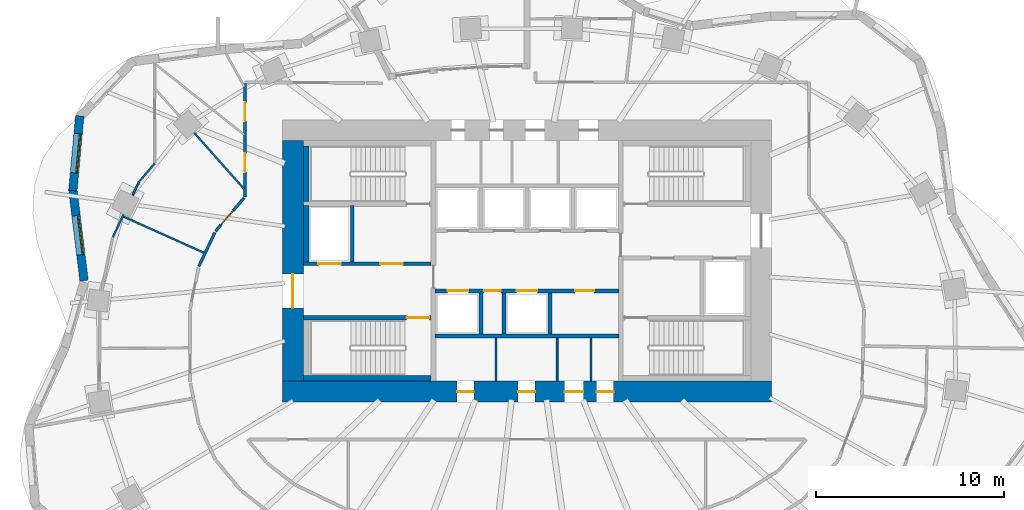
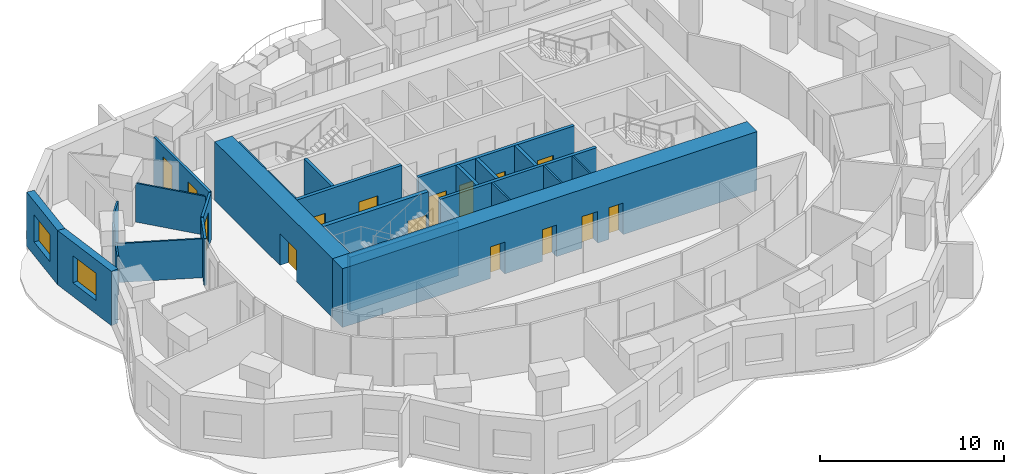
# One storey, part 6 of 11: 26 walls, 15 doors, 2 windows, 17 openings.
"""IFC4 building model written with IfcOpenShell, lengths in metres."""

from ifc_helpers import new_model, si_unit, direction, frame, frame_2d, origin, place, context, subcontext, project, spatial, rectangle, extrude, material, layer, layer_set, type_object, element, fill, save


model = new_model("IFC4")

# Units and contexts
model_context = context("Model", 3, precision=1e-05, world=origin(), true_north=direction((0.0, 1.0)))
body_context = subcontext(model_context, "Body", "Model", "MODEL_VIEW")
ifc_project = project(units=[si_unit("LENGTHUNIT", "METRE"), si_unit("AREAUNIT", "SQUARE_METRE"), si_unit("VOLUMEUNIT", "CUBIC_METRE"), si_unit("PLANEANGLEUNIT", "RADIAN"), si_unit("MASSUNIT", "GRAM", prefix="KILO")], contexts=[model_context])

# Site, building, storey
site_placement = place(None, origin())
site = spatial("IfcSite", under=ifc_project, at=site_placement, CompositionType="ELEMENT")
building_placement = place(site_placement, origin())
building = spatial("IfcBuilding", under=site, at=building_placement, Name="Rubra Terraces Tower", CompositionType="ELEMENT")
storey_placement = place(building_placement, frame((0.0, 0.0, 165.60009765625)))
storey = spatial("IfcBuildingStorey", under=building, at=storey_placement, Name="L40", CompositionType="ELEMENT", Elevation=165.60009765625)

# Wall, opening, window
ifc_material_1 = material(Name="Brick masonry red-brown", Category="masonry")
ifc_layer_1 = layer(ifc_material_1, 0.449951171875)
ifc_layer_set_1 = layer_set([ifc_layer_1], Name="Brick masonry red-brown")
wall_type_1 = type_object("IfcWallType", Name="Brick facade wall 450", PredefinedType="SOLIDWALL", material=ifc_layer_set_1)
wall_1_placement = place(storey_placement, frame((-23.787841796875, 12.21435546875, 0.0), z_axis=(0.0, 0.0, 1.0), x_axis=(-0.091885237351, -0.995769603451, 0.0)))
wall_1 = element("IfcWall", 1, at=wall_1_placement, inside=storey, type_object=wall_type_1, Name="Facade wall L40 bay 18", PredefinedType="SOLIDWALL", context=body_context, shape_type="SweptSolid", body=[
    extrude(rectangle(XDim=3.99609375, YDim=0.449951171875, at=frame_2d((1.998046875, 0.0))), origin(), (0.0, 0.0, 1.0), 3.599853515625),
])
opening_1_placement = place(wall_1_placement, frame((0.947998046875, 0.0, 0.89990234375)))
opening_1 = element("IfcOpeningElement", 2, at=opening_1_placement, cuts=wall_1, Name="Opening W1Z", PredefinedType="OPENING", context=body_context, shape_type="SweptSolid", body=[
    extrude(rectangle(XDim=2.10009765625, YDim=1.800048828125, at=frame_2d((1.050048828125, 0.89990234375))), frame((0.0, 0.23486328125, 0.0), z_axis=(0.0, -1.0, 0.0), x_axis=(1.0, 0.0, 0.0)), (0.0, 0.0, 1.0), 0.469970703125),
])
ifc_material_2 = material(Name="Clear glass in aluminium frame", Category="aluminium")
window_type = type_object("IfcWindowType", Name="Fixed deep-set window under transfer level 2100 x 1800", PartitioningType="SINGLE_PANEL", PredefinedType="WINDOW", material=ifc_material_2)
window_1_placement = place(opening_1_placement, origin())
window_1 = element("IfcWindow", 3, at=window_1_placement, inside=storey, type_object=window_type, Name="Window L40 bay 18", OverallHeight=1.800048828125, OverallWidth=2.10009765625, PartitioningType="SINGLE_PANEL", PredefinedType="WINDOW", context=body_context, shape_type="SweptSolid", body=[
    extrude(rectangle(XDim=2.10009765625, YDim=1.800048828125, at=frame_2d((1.050048828125, 0.89990234375))), frame((0.0, 0.135009765625, 0.0), z_axis=(0.0, -1.0, 0.0), x_axis=(1.0, 0.0, 0.0)), (0.0, 0.0, 1.0), 0.06005859375),
])
fill(opening_1, window_1)

wall_2_placement = place(storey_placement, frame((-24.15576171875, 8.283203125, 0.0), z_axis=(0.0, 0.0, 1.0), x_axis=(0.122319995681, -0.992490714645, 0.0)))
wall_2 = element("IfcWall", 4, at=wall_2_placement, inside=storey, type_object=wall_type_1, Name="Facade wall L40 bay 19", PredefinedType="SOLIDWALL", context=body_context, shape_type="SweptSolid", body=[
    extrude(rectangle(XDim=4.8720703125, YDim=0.449951171875, at=frame_2d((2.43603515625, 0.0))), origin(), (0.0, 0.0, 1.0), 3.599853515625),
])
opening_2_placement = place(wall_2_placement, frame((1.385986328125, 0.0, 0.89990234375)))
opening_2 = element("IfcOpeningElement", 5, at=opening_2_placement, cuts=wall_2, Name="Opening W1Z", PredefinedType="OPENING", context=body_context, shape_type="SweptSolid", body=[
    extrude(rectangle(XDim=2.10009765625, YDim=1.800048828125, at=frame_2d((1.050048828125, 0.89990234375))), frame((0.0, 0.23486328125, 0.0), z_axis=(0.0, -1.0, 0.0), x_axis=(1.0, 0.0, 0.0)), (0.0, 0.0, 1.0), 0.469970703125),
])
window_2_placement = place(opening_2_placement, origin())
window_2 = element("IfcWindow", 6, at=window_2_placement, inside=storey, type_object=window_type, Name="Window L40 bay 19", OverallHeight=1.800048828125, OverallWidth=2.10009765625, PartitioningType="SINGLE_PANEL", PredefinedType="WINDOW", context=body_context, shape_type="SweptSolid", body=[
    extrude(rectangle(XDim=2.10009765625, YDim=1.800048828125, at=frame_2d((1.050048828125, 0.89990234375))), frame((0.0, 0.135009765625, 0.0), z_axis=(0.0, -1.0, 0.0), x_axis=(1.0, 0.0, 0.0)), (0.0, 0.0, 1.0), 0.06005859375),
])
fill(opening_2, window_2)

# Wall, openings, doors
ifc_material_3 = material(Name="Concrete C60", Category="concrete")
ifc_layer_2 = layer(ifc_material_3, 1.10009765625)
ifc_layer_set_2 = layer_set([ifc_layer_2], Name="Concrete C60")
wall_type_2 = type_object("IfcWallType", Name="CORE WALL 1100 C60", PredefinedType="SHEAR", material=ifc_layer_set_2)
wall_3_placement = place(storey_placement, frame((-13.0, -2.449951171875, 0.0), z_axis=(0.0, 0.0, 1.0), x_axis=(1.0, 0.0, 0.0)))
wall_3 = element("IfcWall", 7, at=wall_3_placement, inside=storey, type_object=wall_type_2, Name="CORE WALL S L40", PredefinedType="SHEAR", context=body_context, shape_type="SweptSolid", body=[
    extrude(rectangle(XDim=26.0, YDim=1.10009765625, at=frame_2d((13.0, 0.0))), origin(), (0.0, 0.0, 1.0), 3.89990234375),
])
opening_3_placement = place(wall_3_placement, frame((9.27490234375, 0.0, 0.0)))
opening_3 = element("IfcOpeningElement", 8, at=opening_3_placement, cuts=wall_3, Name="Opening L40.C21", PredefinedType="OPENING", context=body_context, shape_type="SweptSolid", body=[
    extrude(rectangle(XDim=0.89990234375, YDim=2.10009765625, at=frame_2d((0.449951171875, 1.050048828125))), frame((0.0, 0.56005859375, 0.0), z_axis=(0.0, -1.0, 0.0), x_axis=(1.0, 0.0, 0.0)), (0.0, 0.0, 1.0), 1.1201171875),
])
opening_4_placement = place(wall_3_placement, frame((12.52490234375, 0.0, 0.0)))
opening_4 = element("IfcOpeningElement", 9, at=opening_4_placement, cuts=wall_3, Name="Opening L40.C22", PredefinedType="OPENING", context=body_context, shape_type="SweptSolid", body=[
    extrude(rectangle(XDim=0.89990234375, YDim=2.10009765625, at=frame_2d((0.449951171875, 1.050048828125))), frame((0.0, 0.56005859375, 0.0), z_axis=(0.0, -1.0, 0.0), x_axis=(1.0, 0.0, 0.0)), (0.0, 0.0, 1.0), 1.1201171875),
])
opening_5_placement = place(wall_3_placement, frame((15.0, 0.0, 0.0)))
opening_5 = element("IfcOpeningElement", 10, at=opening_5_placement, cuts=wall_3, Name="Opening L40.C23", PredefinedType="OPENING", context=body_context, shape_type="SweptSolid", body=[
    extrude(rectangle(XDim=1.0, YDim=2.10009765625, at=frame_2d((0.5, 1.050048828125))), frame((0.0, 0.56005859375, 0.0), z_axis=(0.0, -1.0, 0.0), x_axis=(1.0, 0.0, 0.0)), (0.0, 0.0, 1.0), 1.1201171875),
])
opening_6_placement = place(wall_3_placement, frame((16.699951171875, 0.0, 0.0)))
opening_6 = element("IfcOpeningElement", 11, at=opening_6_placement, cuts=wall_3, Name="Opening L40.C24", PredefinedType="OPENING", context=body_context, shape_type="SweptSolid", body=[
    extrude(rectangle(XDim=0.89990234375, YDim=2.10009765625, at=frame_2d((0.449951171875, 1.050048828125))), frame((0.0, 0.56005859375, 0.0), z_axis=(0.0, -1.0, 0.0), x_axis=(1.0, 0.0, 0.0)), (0.0, 0.0, 1.0), 1.1201171875),
])
ifc_material_4 = material(Name="Painted steel", Category="steel")
door_type_1 = type_object("IfcDoorType", Name="Fire door 1000x2100 single", OperationType="NOTDEFINED", PredefinedType="DOOR", material=ifc_material_4)
door_1_placement = place(opening_5_placement, origin())
door_1 = element("IfcDoor", 12, at=door_1_placement, inside=storey, type_object=door_type_1, Name="Accessible WC door", OperationType="SINGLE_SWING_LEFT", OverallHeight=2.10009765625, OverallWidth=1.0, PredefinedType="DOOR", context=body_context, shape_type="SweptSolid", body=[
    extrude(rectangle(XDim=1.0, YDim=2.10009765625, at=frame_2d((0.5, 1.050048828125))), frame((0.0, 0.02490234375, 0.0), z_axis=(0.0, -1.0, 0.0), x_axis=(1.0, 0.0, 0.0)), (0.0, 0.0, 1.0), 0.050048828125),
])
fill(opening_5, door_1)
door_type_2 = type_object("IfcDoorType", Name="Fire door 900x2100 single", OperationType="NOTDEFINED", PredefinedType="DOOR", material=ifc_material_4)
door_2_placement = place(opening_3_placement, origin())
door_2 = element("IfcDoor", 13, at=door_2_placement, inside=storey, type_object=door_type_2, Name="Ladies WC door", OperationType="SINGLE_SWING_LEFT", OverallHeight=2.10009765625, OverallWidth=0.89990234375, PredefinedType="DOOR", context=body_context, shape_type="SweptSolid", body=[
    extrude(rectangle(XDim=0.89990234375, YDim=2.10009765625, at=frame_2d((0.449951171875, 1.050048828125))), frame((0.0, 0.02490234375, 0.0), z_axis=(0.0, -1.0, 0.0), x_axis=(1.0, 0.0, 0.0)), (0.0, 0.0, 1.0), 0.050048828125),
])
fill(opening_3, door_2)
door_3_placement = place(opening_4_placement, origin())
door_3 = element("IfcDoor", 14, at=door_3_placement, inside=storey, type_object=door_type_2, Name="Gents WC door", OperationType="SINGLE_SWING_RIGHT", OverallHeight=2.10009765625, OverallWidth=0.89990234375, PredefinedType="DOOR", context=body_context, shape_type="SweptSolid", body=[
    extrude(rectangle(XDim=0.89990234375, YDim=2.10009765625, at=frame_2d((0.449951171875, 1.050048828125))), frame((0.0, 0.02490234375, 0.0), z_axis=(0.0, -1.0, 0.0), x_axis=(1.0, 0.0, 0.0)), (0.0, 0.0, 1.0), 0.050048828125),
])
fill(opening_4, door_3)
door_4_placement = place(opening_6_placement, origin())
door_4 = element("IfcDoor", 15, at=door_4_placement, inside=storey, type_object=door_type_2, Name="Cleaner's store door", OperationType="SINGLE_SWING_RIGHT", OverallHeight=2.10009765625, OverallWidth=0.89990234375, PredefinedType="DOOR", context=body_context, shape_type="SweptSolid", body=[
    extrude(rectangle(XDim=0.89990234375, YDim=2.10009765625, at=frame_2d((0.449951171875, 1.050048828125))), frame((0.0, 0.02490234375, 0.0), z_axis=(0.0, -1.0, 0.0), x_axis=(1.0, 0.0, 0.0)), (0.0, 0.0, 1.0), 0.050048828125),
])
fill(opening_6, door_4)

# Wall, opening, door
wall_4_placement = place(storey_placement, frame((-12.449951171875, -1.89990234375, 0.0), z_axis=(0.0, 0.0, 1.0), x_axis=(0.0, 1.0, 0.0)))
wall_4 = element("IfcWall", 16, at=wall_4_placement, inside=storey, type_object=wall_type_2, Name="CORE WALL W L40", PredefinedType="SHEAR", context=body_context, shape_type="SweptSolid", body=[
    extrude(rectangle(XDim=12.7998046875, YDim=1.10009765625, at=frame_2d((6.39990234375, 0.0))), origin(), (0.0, 0.0, 1.0), 3.89990234375),
])
opening_7_placement = place(wall_4_placement, frame((3.89990234375, 0.0, 0.0)))
opening_7 = element("IfcOpeningElement", 17, at=opening_7_placement, cuts=wall_4, Name="Opening L40.C01", PredefinedType="OPENING", context=body_context, shape_type="SweptSolid", body=[
    extrude(rectangle(XDim=1.800048828125, YDim=2.10009765625, at=frame_2d((0.89990234375, 1.050048828125))), frame((0.0, 0.56005859375, 0.0), z_axis=(0.0, -1.0, 0.0), x_axis=(1.0, 0.0, 0.0)), (0.0, 0.0, 1.0), 1.1201171875),
])
door_type_3 = type_object("IfcDoorType", Name="Fire door 1800x2100 double", OperationType="NOTDEFINED", PredefinedType="DOOR", material=ifc_material_4)
door_5_placement = place(opening_7_placement, origin())
door_5 = element("IfcDoor", 18, at=door_5_placement, inside=storey, type_object=door_type_3, Name="Core entrance door FF1", OperationType="DOUBLE_DOOR_SINGLE_SWING", OverallHeight=2.10009765625, OverallWidth=1.800048828125, PredefinedType="DOOR", context=body_context, shape_type="SweptSolid", body=[
    extrude(rectangle(XDim=1.800048828125, YDim=2.10009765625, at=frame_2d((0.89990234375, 1.050048828125))), frame((0.0, 0.02490234375, 0.0), z_axis=(0.0, -1.0, 0.0), x_axis=(1.0, 0.0, 0.0)), (0.0, 0.0, 1.0), 0.050048828125),
])
fill(opening_7, door_5)

# Wall, openings, doors
ifc_material_5 = material(Name="Plasterboard on steel stud, mineral wool infill", Category="steel")
ifc_layer_3 = layer(ifc_material_5, 0.14990234375)
ifc_layer_set_3 = layer_set([ifc_layer_3], Name="Plasterboard on steel stud, mineral wool infill")
wall_type_3 = type_object("IfcWallType", Name="CORRIDOR PARTITION 150", PredefinedType="PARTITIONING", material=ifc_layer_set_3)
wall_5_placement = place(storey_placement, frame((-15.0, 13.925048828125, 0.0), z_axis=(0.0, 0.0, 1.0), x_axis=(0.0, -1.0, 0.0)))
wall_5 = element("IfcWall", 19, at=wall_5_placement, inside=storey, type_object=wall_type_3, Name="PARTITION", PredefinedType="PARTITIONING", context=body_context, shape_type="SweptSolid", body=[
    extrude(rectangle(XDim=6.020751953125, YDim=0.14990234375, at=frame_2d((3.01025390625, 0.0))), origin(), (0.0, 0.0, 1.0), 3.097900390625),
])
opening_8_placement = place(wall_5_placement, frame((0.9951171875, 0.0, 0.0)))
opening_8 = element("IfcOpeningElement", 20, at=opening_8_placement, cuts=wall_5, Name="Opening 40-104", PredefinedType="OPENING", context=body_context, shape_type="SweptSolid", body=[
    extrude(rectangle(XDim=1.0, YDim=2.39990234375, at=frame_2d((0.5, 1.199951171875))), frame((0.0, 0.0849609375, 0.0), z_axis=(0.0, -1.0, 0.0), x_axis=(1.0, 0.0, 0.0)), (0.0, 0.0, 1.0), 0.169921875),
])
opening_9_placement = place(wall_5_placement, frame((3.7099609375, 0.0, 0.0)))
opening_9 = element("IfcOpeningElement", 21, at=opening_9_placement, cuts=wall_5, Name="Opening 40-105", PredefinedType="OPENING", context=body_context, shape_type="SweptSolid", body=[
    extrude(rectangle(XDim=1.0, YDim=2.39990234375, at=frame_2d((0.5, 1.199951171875))), frame((0.0, 0.0849609375, 0.0), z_axis=(0.0, -1.0, 0.0), x_axis=(1.0, 0.0, 0.0)), (0.0, 0.0, 1.0), 0.169921875),
])
ifc_material_6 = material(Name="Glazed aluminium meeting door leaf", Category="aluminium")
door_type_4 = type_object("IfcDoorType", Name="MEETING ROOM GLAZED DOOR 1000 X 2400", OperationType="SINGLE_SWING_LEFT", PredefinedType="DOOR", material=ifc_material_6)
door_6_placement = place(opening_8_placement, origin())
door_6 = element("IfcDoor", 22, at=door_6_placement, inside=storey, type_object=door_type_4, Name="DOOR 40-104", OperationType="SINGLE_SWING_RIGHT", OverallHeight=2.39990234375, OverallWidth=1.0, PredefinedType="DOOR", context=body_context, shape_type="SweptSolid", body=[
    extrude(rectangle(XDim=1.0, YDim=2.39990234375, at=frame_2d((0.5, 1.199951171875))), frame((0.0, 0.02490234375, 0.0), z_axis=(0.0, -1.0, 0.0), x_axis=(1.0, 0.0, 0.0)), (0.0, 0.0, 1.0), 0.050048828125),
])
fill(opening_8, door_6)
door_7_placement = place(opening_9_placement, origin())
door_7 = element("IfcDoor", 23, at=door_7_placement, inside=storey, type_object=door_type_4, Name="DOOR 40-105", OperationType="SINGLE_SWING_RIGHT", OverallHeight=2.39990234375, OverallWidth=1.0, PredefinedType="DOOR", context=body_context, shape_type="SweptSolid", body=[
    extrude(rectangle(XDim=1.0, YDim=2.39990234375, at=frame_2d((0.5, 1.199951171875))), frame((0.0, 0.02490234375, 0.0), z_axis=(0.0, -1.0, 0.0), x_axis=(1.0, 0.0, 0.0)), (0.0, 0.0, 1.0), 0.050048828125),
])
fill(opening_9, door_7)

# Wall, opening, door
wall_6_placement = place(storey_placement, frame((-15.048828125, 7.847412109375, 0.0), z_axis=(0.0, 0.0, 1.0), x_axis=(-0.651264357687, -0.758850931611, 0.0)))
wall_6 = element("IfcWall", 24, at=wall_6_placement, inside=storey, type_object=wall_type_3, Name="PARTITION", PredefinedType="PARTITIONING", context=body_context, shape_type="SweptSolid", body=[
    extrude(rectangle(XDim=2.33740234375, YDim=0.14990234375, at=frame_2d((1.168701171875, 0.0))), origin(), (0.0, 0.0, 1.0), 3.097900390625),
])
opening_10_placement = place(wall_6_placement, frame((0.89990234375, 0.0, 0.0)))
opening_10 = element("IfcOpeningElement", 25, at=opening_10_placement, cuts=wall_6, Name="Opening 40-106", PredefinedType="OPENING", context=body_context, shape_type="SweptSolid", body=[
    extrude(rectangle(XDim=1.0, YDim=2.39990234375, at=frame_2d((0.5, 1.199951171875))), frame((0.0, 0.0849609375, 0.0), z_axis=(0.0, -1.0, 0.0), x_axis=(1.0, 0.0, 0.0)), (0.0, 0.0, 1.0), 0.169921875),
])
door_8_placement = place(opening_10_placement, origin())
door_8 = element("IfcDoor", 26, at=door_8_placement, inside=storey, type_object=door_type_4, Name="DOOR 40-106", OperationType="SINGLE_SWING_RIGHT", OverallHeight=2.39990234375, OverallWidth=1.0, PredefinedType="DOOR", context=body_context, shape_type="SweptSolid", body=[
    extrude(rectangle(XDim=1.0, YDim=2.39990234375, at=frame_2d((0.5, 1.199951171875))), frame((0.0, 0.02490234375, 0.0), z_axis=(0.0, -1.0, 0.0), x_axis=(1.0, 0.0, 0.0)), (0.0, 0.0, 1.0), 0.050048828125),
])
fill(opening_10, door_8)

# Walls
wall_7_placement = place(storey_placement, frame((-16.603271484375, 6.006103515625, 0.0), z_axis=(0.0, 0.0, 1.0), x_axis=(-0.427839289523, -0.903854823708, 0.0)))
element("IfcWall", 27, at=wall_7_placement, inside=storey, type_object=wall_type_3, Name="PARTITION", PredefinedType="PARTITIONING", context=body_context, shape_type="SweptSolid", body=[
    extrude(rectangle(XDim=1.99658203125, YDim=0.14990234375, at=frame_2d((0.998291015625, 0.0))), origin(), (0.0, 0.0, 1.0), 3.097900390625),
])
ifc_material_7 = material(Name="Concrete C40", Category="concrete")
ifc_layer_4 = layer(ifc_material_7, 0.300048828125)
ifc_layer_set_4 = layer_set([ifc_layer_4], Name="Concrete C40")
wall_type_4 = type_object("IfcWallType", Name="Core lining wall 300 concrete", PredefinedType="SOLIDWALL", material=ifc_layer_set_4)
wall_8_placement = place(storey_placement, frame((-11.89990234375, -1.75, 0.0), z_axis=(0.0, 0.0, 1.0), x_axis=(1.0, 0.0, 0.0)))
element("IfcWall", 28, at=wall_8_placement, inside=storey, type_object=wall_type_4, Name="CORE LINING WALL L40", PredefinedType="SOLIDWALL", context=body_context, shape_type="SweptSolid", body=[
    extrude(rectangle(XDim=6.7998046875, YDim=0.300048828125, at=frame_2d((3.39990234375, 0.0))), origin(), (0.0, 0.0, 1.0), 3.599853515625),
])
wall_9_placement = place(storey_placement, frame((-11.75, 4.449951171875, 0.0), z_axis=(0.0, 0.0, 1.0), x_axis=(0.0, 1.0, 0.0)))
element("IfcWall", 29, at=wall_9_placement, inside=storey, type_object=wall_type_4, Name="CORE LINING WALL L40", PredefinedType="SOLIDWALL", context=body_context, shape_type="SweptSolid", body=[
    extrude(rectangle(XDim=3.0, YDim=0.300048828125, at=frame_2d((1.5, 0.0))), origin(), (0.0, 0.0, 1.0), 3.599853515625),
])
wall_10_placement = place(storey_placement, frame((-11.75, 7.64990234375, 0.0), z_axis=(0.0, 0.0, 1.0), x_axis=(0.0, 1.0, 0.0)))
element("IfcWall", 30, at=wall_10_placement, inside=storey, type_object=wall_type_4, Name="CORE LINING WALL L40", PredefinedType="SOLIDWALL", context=body_context, shape_type="SweptSolid", body=[
    extrude(rectangle(XDim=2.9501953125, YDim=0.300048828125, at=frame_2d((1.47509765625, 0.0))), origin(), (0.0, 0.0, 1.0), 3.599853515625),
])

# Wall, openings, doors
ifc_material_8 = material(Name="Concrete C30", Category="concrete")
ifc_layer_5 = layer(ifc_material_8, 0.199951171875)
ifc_layer_set_5 = layer_set([ifc_layer_5], Name="Concrete C30")
wall_type_5 = type_object("IfcWallType", Name="Core wall 200 concrete", PredefinedType="SOLIDWALL", material=ifc_layer_set_5)
wall_11_placement = place(storey_placement, frame((-11.89990234375, 4.35009765625, 0.0), z_axis=(0.0, 0.0, 1.0), x_axis=(1.0, 0.0, 0.0)))
wall_11 = element("IfcWall", 31, at=wall_11_placement, inside=storey, type_object=wall_type_5, Name="STAIR WALL L40", PredefinedType="SOLIDWALL", context=body_context, shape_type="SweptSolid", body=[
    extrude(rectangle(XDim=6.7998046875, YDim=0.199951171875, at=frame_2d((3.39990234375, 0.0))), origin(), (0.0, 0.0, 1.0), 3.599853515625),
])
opening_11_placement = place(wall_11_placement, frame((4.10009765625, 0.0, 0.0)))
opening_11 = element("IfcOpeningElement", 32, at=opening_11_placement, cuts=wall_11, Name="Opening L40.C05", PredefinedType="OPENING", context=body_context, shape_type="SweptSolid", body=[
    extrude(rectangle(XDim=1.199951171875, YDim=2.10009765625, at=frame_2d((0.60009765625, 1.050048828125))), frame((0.0, 0.10986328125, 0.0), z_axis=(0.0, -1.0, 0.0), x_axis=(1.0, 0.0, 0.0)), (0.0, 0.0, 1.0), 0.219970703125),
])
opening_12_placement = place(wall_11_placement, frame((0.800048828125, 0.0, 0.0)))
opening_12 = element("IfcOpeningElement", 33, at=opening_12_placement, cuts=wall_11, Name="Opening L40.C11", PredefinedType="OPENING", context=body_context, shape_type="SweptSolid", body=[
    extrude(rectangle(XDim=1.199951171875, YDim=2.10009765625, at=frame_2d((0.60009765625, 1.050048828125))), frame((0.0, 0.10986328125, 0.0), z_axis=(0.0, -1.0, 0.0), x_axis=(1.0, 0.0, 0.0)), (0.0, 0.0, 1.0), 0.219970703125),
])
door_type_5 = type_object("IfcDoorType", Name="Fire door 1200x2100 single", OperationType="NOTDEFINED", PredefinedType="DOOR", material=ifc_material_4)
door_9_placement = place(opening_11_placement, origin())
door_9 = element("IfcDoor", 34, at=door_9_placement, inside=storey, type_object=door_type_5, Name="Stair vestibule door S2", OperationType="SINGLE_SWING_LEFT", OverallHeight=2.10009765625, OverallWidth=1.199951171875, PredefinedType="DOOR", context=body_context, shape_type="SweptSolid", body=[
    extrude(rectangle(XDim=1.199951171875, YDim=2.10009765625, at=frame_2d((0.60009765625, 1.050048828125))), frame((0.0, 0.02490234375, 0.0), z_axis=(0.0, -1.0, 0.0), x_axis=(1.0, 0.0, 0.0)), (0.0, 0.0, 1.0), 0.050048828125),
])
fill(opening_11, door_9)
ifc_material_9 = material(Name="Stainless steel", Category="steel")
door_type_6 = type_object("IfcDoorType", Name="Lift landing door 1200x2100", OperationType="NOTDEFINED", PredefinedType="DOOR", material=ifc_material_9)
door_10_placement = place(opening_12_placement, origin())
door_10 = element("IfcDoor", 35, at=door_10_placement, inside=storey, type_object=door_type_6, Name="Landing door FF1", OperationType="SLIDING_TO_RIGHT", OverallHeight=2.10009765625, OverallWidth=1.199951171875, PredefinedType="DOOR", context=body_context, shape_type="SweptSolid", body=[
    extrude(rectangle(XDim=1.199951171875, YDim=2.10009765625, at=frame_2d((0.60009765625, 1.050048828125))), frame((0.0, 0.02490234375, 0.0), z_axis=(0.0, -1.0, 0.0), x_axis=(1.0, 0.0, 0.0)), (0.0, 0.0, 1.0), 0.050048828125),
])
fill(opening_12, door_10)

# Walls
wall_12_placement = place(storey_placement, frame((-9.300048828125, 4.449951171875, 0.0), z_axis=(0.0, 0.0, 1.0), x_axis=(0.0, 1.0, 0.0)))
element("IfcWall", 36, at=wall_12_placement, inside=storey, type_object=wall_type_5, Name="STAIR WALL L40", PredefinedType="SOLIDWALL", context=body_context, shape_type="SweptSolid", body=[
    extrude(rectangle(XDim=3.0, YDim=0.199951171875, at=frame_2d((1.5, 0.0))), origin(), (0.0, 0.0, 1.0), 3.599853515625),
])
wall_13_placement = place(storey_placement, frame((-4.89990234375, 0.5, 0.0), z_axis=(0.0, 0.0, 1.0), x_axis=(1.0, 0.0, 0.0)))
element("IfcWall", 37, at=wall_13_placement, inside=storey, type_object=wall_type_5, Name="LIFT SHAFT WALL L40", PredefinedType="SOLIDWALL", context=body_context, shape_type="SweptSolid", body=[
    extrude(rectangle(XDim=9.7998046875, YDim=0.199951171875, at=frame_2d((4.89990234375, 0.0))), origin(), (0.0, 0.0, 1.0), 3.599853515625),
])

# Wall, openings, doors
wall_14_placement = place(storey_placement, frame((-4.89990234375, 2.89990234375, 0.0), z_axis=(0.0, 0.0, 1.0), x_axis=(1.0, 0.0, 0.0)))
wall_14 = element("IfcWall", 38, at=wall_14_placement, inside=storey, type_object=wall_type_5, Name="LIFT SHAFT WALL L40", PredefinedType="SOLIDWALL", context=body_context, shape_type="SweptSolid", body=[
    extrude(rectangle(XDim=9.7998046875, YDim=0.199951171875, at=frame_2d((4.89990234375, 0.0))), origin(), (0.0, 0.0, 1.0), 3.599853515625),
])
opening_13_placement = place(wall_14_placement, frame((0.675048828125, 0.0, 0.0)))
opening_13 = element("IfcOpeningElement", 39, at=opening_13_placement, cuts=wall_14, Name="Opening L40.C13", PredefinedType="OPENING", context=body_context, shape_type="SweptSolid", body=[
    extrude(rectangle(XDim=1.10009765625, YDim=2.10009765625, at=frame_2d((0.550048828125, 1.050048828125))), frame((0.0, 0.10986328125, 0.0), z_axis=(0.0, -1.0, 0.0), x_axis=(1.0, 0.0, 0.0)), (0.0, 0.0, 1.0), 0.219970703125),
])
opening_14_placement = place(wall_14_placement, frame((2.613037109375, 0.0, 0.0)))
opening_14 = element("IfcOpeningElement", 40, at=opening_14_placement, cuts=wall_14, Name="Opening L40.C14", PredefinedType="OPENING", context=body_context, shape_type="SweptSolid", body=[
    extrude(rectangle(XDim=0.89990234375, YDim=2.10009765625, at=frame_2d((0.449951171875, 1.050048828125))), frame((0.0, 0.10986328125, 0.0), z_axis=(0.0, -1.0, 0.0), x_axis=(1.0, 0.0, 0.0)), (0.0, 0.0, 1.0), 0.219970703125),
])
opening_15_placement = place(wall_14_placement, frame((4.35009765625, 0.0, 0.0)))
opening_15 = element("IfcOpeningElement", 41, at=opening_15_placement, cuts=wall_14, Name="Opening L40.C15", PredefinedType="OPENING", context=body_context, shape_type="SweptSolid", body=[
    extrude(rectangle(XDim=1.10009765625, YDim=2.10009765625, at=frame_2d((0.550048828125, 1.050048828125))), frame((0.0, 0.10986328125, 0.0), z_axis=(0.0, -1.0, 0.0), x_axis=(1.0, 0.0, 0.0)), (0.0, 0.0, 1.0), 0.219970703125),
])
opening_16_placement = place(wall_14_placement, frame((7.462890625, 0.0, 0.0)))
opening_16 = element("IfcOpeningElement", 42, at=opening_16_placement, cuts=wall_14, Name="Opening L40.C16", PredefinedType="OPENING", context=body_context, shape_type="SweptSolid", body=[
    extrude(rectangle(XDim=1.0, YDim=2.10009765625, at=frame_2d((0.5, 1.050048828125))), frame((0.0, 0.10986328125, 0.0), z_axis=(0.0, -1.0, 0.0), x_axis=(1.0, 0.0, 0.0)), (0.0, 0.0, 1.0), 0.219970703125),
])
door_11_placement = place(opening_16_placement, origin())
door_11 = element("IfcDoor", 43, at=door_11_placement, inside=storey, type_object=door_type_1, Name="Guest pantry door", OperationType="SINGLE_SWING_RIGHT", OverallHeight=2.10009765625, OverallWidth=1.0, PredefinedType="DOOR", context=body_context, shape_type="SweptSolid", body=[
    extrude(rectangle(XDim=1.0, YDim=2.10009765625, at=frame_2d((0.5, 1.050048828125))), frame((0.0, 0.02490234375, 0.0), z_axis=(0.0, -1.0, 0.0), x_axis=(1.0, 0.0, 0.0)), (0.0, 0.0, 1.0), 0.050048828125),
])
fill(opening_16, door_11)
door_12_placement = place(opening_14_placement, origin())
door_12 = element("IfcDoor", 44, at=door_12_placement, inside=storey, type_object=door_type_2, Name="Cleaner's store door", OperationType="SINGLE_SWING_RIGHT", OverallHeight=2.10009765625, OverallWidth=0.89990234375, PredefinedType="DOOR", context=body_context, shape_type="SweptSolid", body=[
    extrude(rectangle(XDim=0.89990234375, YDim=2.10009765625, at=frame_2d((0.449951171875, 1.050048828125))), frame((0.0, 0.02490234375, 0.0), z_axis=(0.0, -1.0, 0.0), x_axis=(1.0, 0.0, 0.0)), (0.0, 0.0, 1.0), 0.050048828125),
])
fill(opening_14, door_12)
door_type_7 = type_object("IfcDoorType", Name="Lift landing door 1100x2100", OperationType="NOTDEFINED", PredefinedType="DOOR", material=ifc_material_9)
door_13_placement = place(opening_13_placement, origin())
door_13 = element("IfcDoor", 45, at=door_13_placement, inside=storey, type_object=door_type_7, Name="Landing door HB1", OperationType="SLIDING_TO_RIGHT", OverallHeight=2.10009765625, OverallWidth=1.10009765625, PredefinedType="DOOR", context=body_context, shape_type="SweptSolid", body=[
    extrude(rectangle(XDim=1.10009765625, YDim=2.10009765625, at=frame_2d((0.550048828125, 1.050048828125))), frame((0.0, 0.02490234375, 0.0), z_axis=(0.0, -1.0, 0.0), x_axis=(1.0, 0.0, 0.0)), (0.0, 0.0, 1.0), 0.050048828125),
])
fill(opening_13, door_13)
door_14_placement = place(opening_15_placement, origin())
door_14 = element("IfcDoor", 46, at=door_14_placement, inside=storey, type_object=door_type_7, Name="Landing door HB2", OperationType="SLIDING_TO_LEFT", OverallHeight=2.10009765625, OverallWidth=1.10009765625, PredefinedType="DOOR", context=body_context, shape_type="SweptSolid", body=[
    extrude(rectangle(XDim=1.10009765625, YDim=2.10009765625, at=frame_2d((0.550048828125, 1.050048828125))), frame((0.0, 0.02490234375, 0.0), z_axis=(0.0, -1.0, 0.0), x_axis=(1.0, 0.0, 0.0)), (0.0, 0.0, 1.0), 0.050048828125),
])
fill(opening_15, door_14)

# Walls
for number, where, z_axis, x_axis, name in (
    (47, (-2.449951171875, 0.60009765625, 0.0), (0.0, 0.0, 1.0), (0.0, 1.0, 0.0), "LIFT SHAFT WALL L40"),
    (48, (-1.22509765625, 0.60009765625, 0.0), (0.0, 0.0, 1.0), (0.0, 1.0, 0.0), "LIFT SHAFT WALL L40"),
    (49, (1.22509765625, 0.60009765625, 0.0), (0.0, 0.0, 1.0), (0.0, 1.0, 0.0), "LIFT SHAFT WALL L40"),
):
    element("IfcWall", number, at=place(storey_placement, frame(where, z_axis=z_axis, x_axis=x_axis)), inside=storey, type_object=wall_type_5, Name=name, PredefinedType="SOLIDWALL", context=body_context, shape_type="SweptSolid", body=[
        extrude(rectangle(XDim=2.199951171875, YDim=0.199951171875, at=frame_2d((1.10009765625, 0.0))), origin(), (0.0, 0.0, 1.0), 3.599853515625),
    ])
ifc_material_10 = material(Name="Plasterboard on steel stud", Category="steel")
ifc_layer_6 = layer(ifc_material_10, 0.10009765625)
ifc_layer_set_6 = layer_set([ifc_layer_6], Name="Plasterboard on steel stud")
wall_type_6 = type_object("IfcWallType", Name="ROOM PARTITION 100", PredefinedType="PARTITIONING", material=ifc_layer_set_6)
wall_15_placement = place(storey_placement, frame((-20.600830078125, 8.74853515625, 0.0), z_axis=(0.0, 0.0, 1.0), x_axis=(0.651150974932, 0.758948224746, 0.0)))
element("IfcWall", 50, at=wall_15_placement, inside=storey, type_object=wall_type_6, Name="PARTITION", PredefinedType="PARTITIONING", context=body_context, shape_type="SweptSolid", body=[
    extrude(rectangle(XDim=1.229736328125, YDim=0.10009765625, at=frame_2d((0.61474609375, 0.0))), origin(), (0.0, 0.0, 1.0), 3.083984375),
])
ifc_layer_7 = layer(ifc_material_10, 0.10009765625)
ifc_layer_set_7 = layer_set([ifc_layer_7], Name="Plasterboard on steel stud")
wall_type_7 = type_object("IfcWallType", Name="ROOM PARTITION 100 LOW HEAD", PredefinedType="PARTITIONING", material=ifc_layer_set_7)
wall_16_placement = place(storey_placement, frame((-22.023681640625, 5.7744140625, 0.0), z_axis=(0.0, 0.0, 1.0), x_axis=(0.427870793862, 0.903839910471, 0.0)))
element("IfcWall", 51, at=wall_16_placement, inside=storey, type_object=wall_type_7, Name="PARTITION", PredefinedType="PARTITIONING", context=body_context, shape_type="SweptSolid", body=[
    extrude(rectangle(XDim=1.314697265625, YDim=0.10009765625, at=frame_2d((0.6572265625, 0.0))), origin(), (0.0, 0.0, 1.0), 2.579833984375),
])
wall_17_placement = place(storey_placement, frame((-20.97314453125, 7.993408203125, 0.0), z_axis=(0.0, 0.0, 1.0), x_axis=(0.427914425671, 0.903819254222, 0.0)))
element("IfcWall", 52, at=wall_17_placement, inside=storey, type_object=wall_type_7, Name="PARTITION", PredefinedType="PARTITIONING", context=body_context, shape_type="SweptSolid", body=[
    extrude(rectangle(XDim=0.793701171875, YDim=0.10009765625, at=frame_2d((0.39697265625, 0.0))), origin(), (0.0, 0.0, 1.0), 2.579833984375),
])
wall_18_placement = place(storey_placement, frame((-15.0498046875, 8.323974609375, 0.0), z_axis=(0.0, 0.0, 1.0), x_axis=(-0.663995746483, 0.747736349694, 0.0)))
element("IfcWall", 53, at=wall_18_placement, inside=storey, type_object=wall_type_7, Name="PARTITION", PredefinedType="PARTITIONING", context=body_context, shape_type="SweptSolid", body=[
    extrude(rectangle(XDim=3.994140625, YDim=0.10009765625, at=frame_2d((1.9970703125, 0.0))), origin(), (0.0, 0.0, 1.0), 2.579833984375),
])
wall_19_placement = place(storey_placement, frame((-17.19287109375, 4.935791015625, 0.0), z_axis=(0.0, 0.0, 1.0), x_axis=(-0.912146065202, 0.409865289744, 0.0)))
element("IfcWall", 54, at=wall_19_placement, inside=storey, type_object=wall_type_7, Name="PARTITION", PredefinedType="PARTITIONING", context=body_context, shape_type="SweptSolid", body=[
    extrude(rectangle(XDim=4.676025390625, YDim=0.10009765625, at=frame_2d((2.337890625, 0.0))), origin(), (0.0, 0.0, 1.0), 2.579833984375),
])
ifc_material_11 = material(Name="Blockwork", Category="masonry")
ifc_layer_8 = layer(ifc_material_11, 0.10009765625)
ifc_layer_set_8 = layer_set([ifc_layer_8], Name="Blockwork")
wall_type_8 = type_object("IfcWallType", Name="Service partition 100 blockwork", PredefinedType="PARTITIONING", material=ifc_layer_set_8)
for number, where, z_axis, x_axis, name in (
    (55, (-1.64990234375, -1.89990234375, 0.0), (0.0, 0.0, 1.0), (0.0, 1.0, 0.0), "SERVICE ROOM PARTITION L40"),
    (56, (1.60009765625, -1.89990234375, 0.0), (0.0, 0.0, 1.0), (0.0, 1.0, 0.0), "SERVICE ROOM PARTITION L40"),
    (57, (3.39990234375, -1.89990234375, 0.0), (0.0, 0.0, 1.0), (0.0, 1.0, 0.0), "SERVICE ROOM PARTITION L40"),
):
    element("IfcWall", number, at=place(storey_placement, frame(where, z_axis=z_axis, x_axis=x_axis)), inside=storey, type_object=wall_type_8, Name=name, PredefinedType="PARTITIONING", context=body_context, shape_type="SweptSolid", body=[
        extrude(rectangle(XDim=2.2998046875, YDim=0.10009765625, at=frame_2d((1.14990234375, 0.0))), origin(), (0.0, 0.0, 1.0), 3.599853515625),
    ])

# Wall, opening, door
ifc_layer_9 = layer(ifc_material_7, 0.25)
ifc_layer_set_9 = layer_set([ifc_layer_9], Name="Concrete C40")
wall_type_9 = type_object("IfcWallType", Name="Stair enclosure wall 250 concrete", PredefinedType="SOLIDWALL", material=ifc_layer_set_9)
wall_20_placement = place(storey_placement, frame((-11.89990234375, 1.47509765625, 0.0), z_axis=(0.0, 0.0, 1.0), x_axis=(1.0, 0.0, 0.0)))
wall_20 = element("IfcWall", 58, at=wall_20_placement, inside=storey, type_object=wall_type_9, Name="STAIR WALL L40", PredefinedType="SOLIDWALL", context=body_context, shape_type="SweptSolid", body=[
    extrude(rectangle(XDim=6.7998046875, YDim=0.25, at=frame_2d((3.39990234375, 0.0))), origin(), (0.0, 0.0, 1.0), 3.599853515625),
])
opening_17_placement = place(wall_20_placement, frame((5.5, 0.0, 0.0)))
opening_17 = element("IfcOpeningElement", 59, at=opening_17_placement, cuts=wall_20, Name="Opening L40.C07", PredefinedType="OPENING", context=body_context, shape_type="SweptSolid", body=[
    extrude(rectangle(XDim=1.199951171875, YDim=2.10009765625, at=frame_2d((0.60009765625, 1.050048828125))), frame((0.0, 0.135009765625, 0.0), z_axis=(0.0, -1.0, 0.0), x_axis=(1.0, 0.0, 0.0)), (0.0, 0.0, 1.0), 0.27001953125),
])
door_15_placement = place(opening_17_placement, origin())
door_15 = element("IfcDoor", 60, at=door_15_placement, inside=storey, type_object=door_type_5, Name="Stair door S1", OperationType="SINGLE_SWING_LEFT", OverallHeight=2.10009765625, OverallWidth=1.199951171875, PredefinedType="DOOR", context=body_context, shape_type="SweptSolid", body=[
    extrude(rectangle(XDim=1.199951171875, YDim=2.10009765625, at=frame_2d((0.60009765625, 1.050048828125))), frame((0.0, 0.02490234375, 0.0), z_axis=(0.0, -1.0, 0.0), x_axis=(1.0, 0.0, 0.0)), (0.0, 0.0, 1.0), 0.050048828125),
])
fill(opening_17, door_15)

save(model, "model.ifc")
